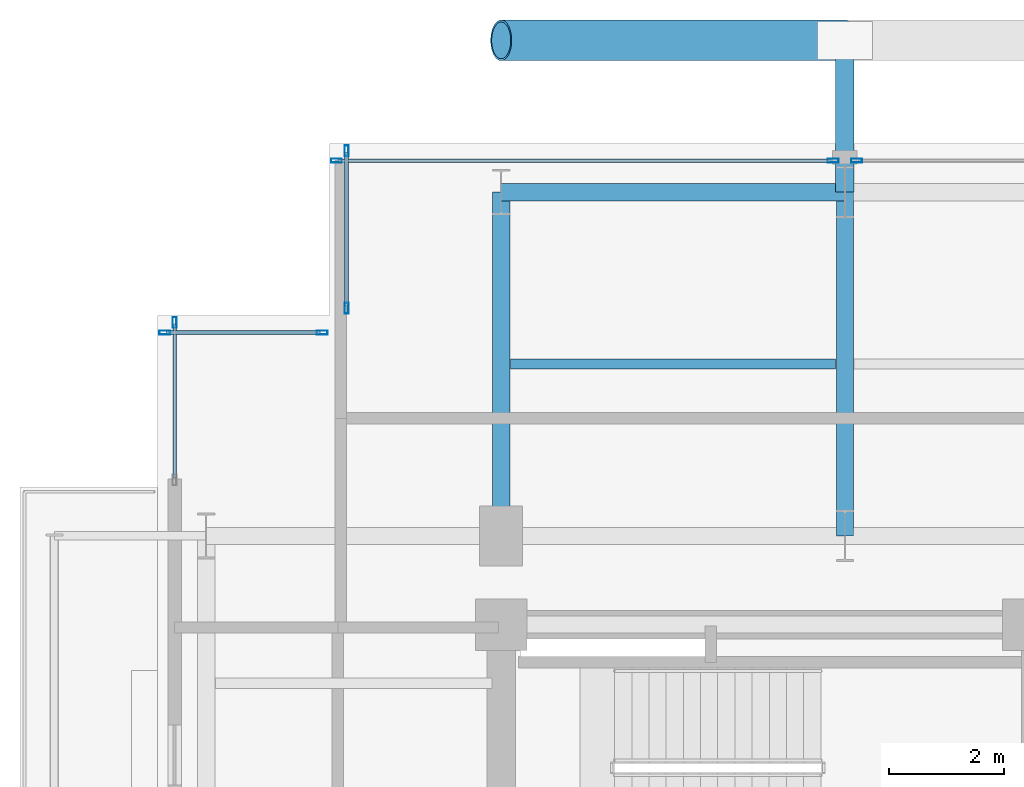
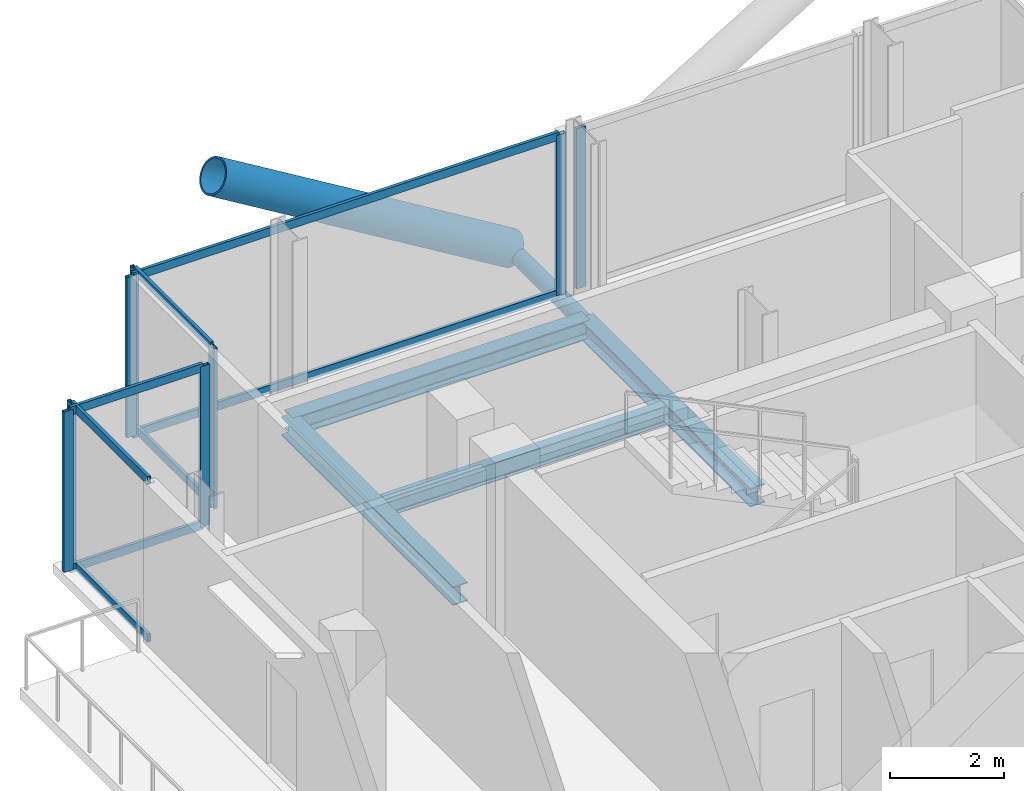
# One storey, part 14 of 25: 18 members, 4 beams, 5 elements without a shape of their own.
"""IFC4 building model written with IfcOpenShell, lengths in metres."""

from ifc_helpers import new_model, si_unit, direction, frame, origin, origin_2d, place, context, subcontext, project, spatial, hollow_rectangle, hollow_circle, i_section, extrude, material, layer, layer_set, material_profile, profile_set, type_object, element, aggregate, save


model = new_model("IFC4")

# Units and contexts
model_context = context("Model", 3, precision=1e-05, world=origin(), true_north=direction((0.0, 1.0)))
body_context = subcontext(model_context, "Body", "Model", "MODEL_VIEW")
ifc_project = project(units=[si_unit("LENGTHUNIT", "METRE"), si_unit("AREAUNIT", "SQUARE_METRE"), si_unit("VOLUMEUNIT", "CUBIC_METRE"), si_unit("PLANEANGLEUNIT", "RADIAN"), si_unit("MASSUNIT", "GRAM", prefix="KILO"), si_unit("THERMODYNAMICTEMPERATUREUNIT", "KELVIN"), si_unit("POWERUNIT", "WATT")], contexts=[model_context])

# Site, building, storey
site_placement = place(None, origin())
site = spatial("IfcSite", under=ifc_project, at=site_placement, CompositionType="ELEMENT")
building_placement = place(site_placement, origin())
building = spatial("IfcBuilding", under=site, at=building_placement, Name="Svarakhadi Broadcast Tower", CompositionType="ELEMENT")
storey_placement = place(building_placement, frame((0.0, 0.0, 231.14990234375)))
storey = spatial("IfcBuildingStorey", under=building, at=storey_placement, Name="L57", CompositionType="ELEMENT", Elevation=231.14990234375)

# Beam
ifc_material_1 = material(Name="Steel S355J2 (IS 2062 E350C)", Category="steel")
ifc_material_profile_1 = material_profile(ifc_material_1, i_section(OverallWidth=0.179931640625, OverallDepth=0.39990234375, WebThickness=0.008544921875, FlangeThickness=0.013427734375, FilletRadius=0.02099609375, at=origin_2d()), Name="NPB 400x180x66")
ifc_profile_set_1 = profile_set([ifc_material_profile_1], Name="Steel S355J2 (IS 2062 E350C)")
beam_type_1 = type_object("IfcBeamType", Name="Beam_NPB400", PredefinedType="BEAM", material=ifc_profile_set_1)
beam_placement = place(storey_placement, frame((6.159912109375, 32.14990234375, -0.409912109375), z_axis=(1.0, 0.0, 0.0), x_axis=(0.0, 1.0, 0.0)))
element("IfcBeam", 1, at=beam_placement, inside=storey, type_object=beam_type_1, Name="L57 Secondary Composite Beam SB008", PredefinedType="BEAM", context=body_context, shape_type="SweptSolid", body=[
    extrude(i_section(OverallWidth=0.179931640625, OverallDepth=0.39990234375, WebThickness=0.008544921875, FlangeThickness=0.013427734375, FilletRadius=0.02099609375, at=origin_2d()), origin(), (0.0, 0.0, 1.0), 5.68017578125),
])

# Curtain wall, member
ifc_material_2 = material(Name="Anodised Bronze Aluminium AA 6063-T6", Category="aluminium")
ifc_layer = layer(ifc_material_2, 0.18994140625)
ifc_layer_set = layer_set([ifc_layer], Name="Anodised Bronze Aluminium AA 6063-T6")
curtain_wall_type = type_object("IfcCurtainWallType", Name="CW_Sys_04", PredefinedType="NOTDEFINED", material=ifc_layer_set)
curtain_wall_1_placement = place(storey_placement, origin())
curtain_wall_1 = element("IfcCurtainWall", 2, at=curtain_wall_1_placement, inside=storey, type_object=curtain_wall_type, Name="L57 West Curtain Wall 03", PredefinedType="NOTDEFINED")
ifc_material_profile_2 = material_profile(ifc_material_2, hollow_rectangle(XDim=0.070068359375, YDim=0.18994140625, WallThickness=0.005615234375, at=origin_2d()), Name="ALU MULLION 190x70x6")
ifc_profile_set_2 = profile_set([ifc_material_profile_2], Name="Anodised Bronze Aluminium AA 6063-T6")
member_type_1 = type_object("IfcMemberType", Name="CW_Sys_04_Mul", PredefinedType="MULLION", material=ifc_profile_set_2)
member_1_placement = place(storey_placement, frame((0.300048828125, 32.875, 0.0), z_axis=(0.0, 0.0, 1.0), x_axis=(-1.0, 0.0, 0.0)))
member_1 = element("IfcMember", 3, at=member_1_placement, type_object=member_type_1, Name="CW-04 mullion 2", PredefinedType="MULLION", context=body_context, shape_type="SweptSolid", body=[
    extrude(hollow_rectangle(XDim=0.070068359375, YDim=0.18994140625, WallThickness=0.005615234375, at=origin_2d()), origin(), (0.0, 0.0, 1.0), 3.425048828125),
])

# Curtain wall, members
curtain_wall_2_placement = place(storey_placement, origin())
curtain_wall_2 = element("IfcCurtainWall", 4, at=curtain_wall_2_placement, inside=storey, type_object=curtain_wall_type, Name="L57 Unitised Facade Curtain Wall 04", PredefinedType="NOTDEFINED")
member_2_placement = place(storey_placement, frame((0.125, 32.699951171875, 0.0), z_axis=(0.0, 0.0, 1.0), x_axis=(0.0, 1.0, 0.0)))
member_2 = element("IfcMember", 5, at=member_2_placement, type_object=member_type_1, Name="CW-04 mullion 1", PredefinedType="MULLION", context=body_context, shape_type="SweptSolid", body=[
    extrude(hollow_rectangle(XDim=0.070068359375, YDim=0.18994140625, WallThickness=0.005615234375, at=origin_2d()), origin(), (0.0, 0.0, 1.0), 3.425048828125),
])
member_3_placement = place(storey_placement, frame((2.875, 32.699951171875, 0.0), z_axis=(0.0, 0.0, 1.0), x_axis=(0.0, 1.0, 0.0)))
member_3 = element("IfcMember", 6, at=member_3_placement, type_object=member_type_1, Name="CW-04 mullion 2", PredefinedType="MULLION", context=body_context, shape_type="SweptSolid", body=[
    extrude(hollow_rectangle(XDim=0.070068359375, YDim=0.18994140625, WallThickness=0.005615234375, at=origin_2d()), origin(), (0.0, 0.0, 1.0), 3.425048828125),
])

curtain_wall_3_placement = place(storey_placement, origin())
curtain_wall_3 = element("IfcCurtainWall", 7, at=curtain_wall_3_placement, inside=storey, type_object=curtain_wall_type, Name="L57 Unitised Facade Curtain Wall 05", PredefinedType="NOTDEFINED")
member_4_placement = place(storey_placement, frame((3.300048828125, 33.125, 0.0), z_axis=(0.0, 0.0, 1.0), x_axis=(-1.0, 0.0, 0.0)))
member_4 = element("IfcMember", 8, at=member_4_placement, type_object=member_type_1, Name="CW-04 mullion 1", PredefinedType="MULLION", context=body_context, shape_type="SweptSolid", body=[
    extrude(hollow_rectangle(XDim=0.070068359375, YDim=0.18994140625, WallThickness=0.005615234375, at=origin_2d()), origin(), (0.0, 0.0, 1.0), 3.425048828125),
])
member_5_placement = place(storey_placement, frame((3.300048828125, 35.875, 0.0), z_axis=(0.0, 0.0, 1.0), x_axis=(-1.0, 0.0, 0.0)))
member_5 = element("IfcMember", 9, at=member_5_placement, type_object=member_type_1, Name="CW-04 mullion 2", PredefinedType="MULLION", context=body_context, shape_type="SweptSolid", body=[
    extrude(hollow_rectangle(XDim=0.070068359375, YDim=0.18994140625, WallThickness=0.005615234375, at=origin_2d()), origin(), (0.0, 0.0, 1.0), 3.425048828125),
])

curtain_wall_4_placement = place(storey_placement, origin())
curtain_wall_4 = element("IfcCurtainWall", 10, at=curtain_wall_4_placement, inside=storey, type_object=curtain_wall_type, Name="L57 Unitised Facade Curtain Wall 06 Bay 1", PredefinedType="NOTDEFINED")
member_6_placement = place(storey_placement, frame((3.125, 35.699951171875, 0.0), z_axis=(0.0, 0.0, 1.0), x_axis=(0.0, 1.0, 0.0)))
member_6 = element("IfcMember", 11, at=member_6_placement, type_object=member_type_1, Name="CW-04 mullion 1", PredefinedType="MULLION", context=body_context, shape_type="SweptSolid", body=[
    extrude(hollow_rectangle(XDim=0.070068359375, YDim=0.18994140625, WallThickness=0.005615234375, at=origin_2d()), origin(), (0.0, 0.0, 1.0), 3.425048828125),
])
member_7_placement = place(storey_placement, frame((11.794921875, 35.699951171875, 0.0), z_axis=(0.0, 0.0, 1.0), x_axis=(0.0, 1.0, 0.0)))
member_7 = element("IfcMember", 12, at=member_7_placement, type_object=member_type_1, Name="CW-04 mullion 2", PredefinedType="MULLION", context=body_context, shape_type="SweptSolid", body=[
    extrude(hollow_rectangle(XDim=0.070068359375, YDim=0.18994140625, WallThickness=0.005615234375, at=origin_2d()), origin(), (0.0, 0.0, 1.0), 3.425048828125),
])

# Curtain wall, member
curtain_wall_5_placement = place(storey_placement, origin())
curtain_wall_5 = element("IfcCurtainWall", 13, at=curtain_wall_5_placement, inside=storey, type_object=curtain_wall_type, Name="L57 Unitised Facade Curtain Wall 06 Bay 2", PredefinedType="NOTDEFINED")
member_8_placement = place(storey_placement, frame((12.205078125, 35.699951171875, 0.0), z_axis=(0.0, 0.0, 1.0), x_axis=(0.0, 1.0, 0.0)))
member_8 = element("IfcMember", 14, at=member_8_placement, type_object=member_type_1, Name="CW-04 mullion 1", PredefinedType="MULLION", context=body_context, shape_type="SweptSolid", body=[
    extrude(hollow_rectangle(XDim=0.070068359375, YDim=0.18994140625, WallThickness=0.005615234375, at=origin_2d()), origin(), (0.0, 0.0, 1.0), 3.425048828125),
])
aggregate(curtain_wall_5, [member_8])

# Member
ifc_material_profile_3 = material_profile(ifc_material_2, hollow_rectangle(XDim=0.06494140625, YDim=0.175048828125, WallThickness=0.0048828125, at=origin_2d()), Name="ALU TRANSOM 175x65x5")
ifc_profile_set_3 = profile_set([ifc_material_profile_3], Name="Anodised Bronze Aluminium AA 6063-T6")
member_type_2 = type_object("IfcMemberType", Name="CW_Sys_04_Trn", PredefinedType="USERDEFINED", material=ifc_profile_set_3)
member_9_placement = place(storey_placement, frame((0.300048828125, 30.159912109375, 0.03271484375), z_axis=(0.0, 1.0, 0.0), x_axis=(-1.0, 0.0, 0.0)))
member_9 = element("IfcMember", 15, at=member_9_placement, type_object=member_type_2, Name="CW-04 transom 1.1", ObjectType="TRANSOM", PredefinedType="USERDEFINED", context=body_context, shape_type="SweptSolid", body=[
    extrude(hollow_rectangle(XDim=0.06494140625, YDim=0.175048828125, WallThickness=0.0048828125, at=origin_2d()), origin(), (0.0, 0.0, 1.0), 2.68017578125),
])

member_10_placement = place(storey_placement, frame((0.300048828125, 30.159912109375, 3.392578125), z_axis=(0.0, 1.0, 0.0), x_axis=(-1.0, 0.0, 0.0)))
member_10 = element("IfcMember", 16, at=member_10_placement, type_object=member_type_2, Name="CW-04 transom 1.2", ObjectType="TRANSOM", PredefinedType="USERDEFINED", context=body_context, shape_type="SweptSolid", body=[
    extrude(hollow_rectangle(XDim=0.06494140625, YDim=0.175048828125, WallThickness=0.0048828125, at=origin_2d()), origin(), (0.0, 0.0, 1.0), 2.68017578125),
])

aggregate(curtain_wall_1, [member_1, member_9, member_10])

member_11_placement = place(storey_placement, frame((0.159912109375, 32.699951171875, 0.03271484375), z_axis=(1.0, 0.0, 0.0), x_axis=(0.0, 1.0, 0.0)))
member_11 = element("IfcMember", 17, at=member_11_placement, type_object=member_type_2, Name="CW-04 transom 1.1", ObjectType="TRANSOM", PredefinedType="USERDEFINED", context=body_context, shape_type="SweptSolid", body=[
    extrude(hollow_rectangle(XDim=0.06494140625, YDim=0.175048828125, WallThickness=0.0048828125, at=origin_2d()), origin(), (0.0, 0.0, 1.0), 2.68017578125),
])

member_12_placement = place(storey_placement, frame((0.159912109375, 32.699951171875, 3.392578125), z_axis=(1.0, 0.0, 0.0), x_axis=(0.0, 1.0, 0.0)))
member_12 = element("IfcMember", 18, at=member_12_placement, type_object=member_type_2, Name="CW-04 transom 1.2", ObjectType="TRANSOM", PredefinedType="USERDEFINED", context=body_context, shape_type="SweptSolid", body=[
    extrude(hollow_rectangle(XDim=0.06494140625, YDim=0.175048828125, WallThickness=0.0048828125, at=origin_2d()), origin(), (0.0, 0.0, 1.0), 2.68017578125),
])

aggregate(curtain_wall_2, [member_2, member_3, member_11, member_12])

member_13_placement = place(storey_placement, frame((3.300048828125, 33.159912109375, 0.03271484375), z_axis=(0.0, 1.0, 0.0), x_axis=(-1.0, 0.0, 0.0)))
member_13 = element("IfcMember", 19, at=member_13_placement, type_object=member_type_2, Name="CW-04 transom 1.1", ObjectType="TRANSOM", PredefinedType="USERDEFINED", context=body_context, shape_type="SweptSolid", body=[
    extrude(hollow_rectangle(XDim=0.06494140625, YDim=0.175048828125, WallThickness=0.0048828125, at=origin_2d()), origin(), (0.0, 0.0, 1.0), 2.68017578125),
])

member_14_placement = place(storey_placement, frame((3.300048828125, 33.159912109375, 3.392578125), z_axis=(0.0, 1.0, 0.0), x_axis=(-1.0, 0.0, 0.0)))
member_14 = element("IfcMember", 20, at=member_14_placement, type_object=member_type_2, Name="CW-04 transom 1.2", ObjectType="TRANSOM", PredefinedType="USERDEFINED", context=body_context, shape_type="SweptSolid", body=[
    extrude(hollow_rectangle(XDim=0.06494140625, YDim=0.175048828125, WallThickness=0.0048828125, at=origin_2d()), origin(), (0.0, 0.0, 1.0), 2.68017578125),
])

aggregate(curtain_wall_3, [member_4, member_5, member_13, member_14])

member_15_placement = place(storey_placement, frame((3.159912109375, 35.699951171875, 0.03271484375), z_axis=(1.0, 0.0, 0.0), x_axis=(0.0, 1.0, 0.0)))
member_15 = element("IfcMember", 21, at=member_15_placement, type_object=member_type_2, Name="CW-04 transom 1.1", ObjectType="TRANSOM", PredefinedType="USERDEFINED", context=body_context, shape_type="SweptSolid", body=[
    extrude(hollow_rectangle(XDim=0.06494140625, YDim=0.175048828125, WallThickness=0.0048828125, at=origin_2d()), origin(), (0.0, 0.0, 1.0), 8.60009765625),
])

member_16_placement = place(storey_placement, frame((3.159912109375, 35.699951171875, 3.392578125), z_axis=(1.0, 0.0, 0.0), x_axis=(0.0, 1.0, 0.0)))
member_16 = element("IfcMember", 22, at=member_16_placement, type_object=member_type_2, Name="CW-04 transom 1.2", ObjectType="TRANSOM", PredefinedType="USERDEFINED", context=body_context, shape_type="SweptSolid", body=[
    extrude(hollow_rectangle(XDim=0.06494140625, YDim=0.175048828125, WallThickness=0.0048828125, at=origin_2d()), origin(), (0.0, 0.0, 1.0), 8.60009765625),
])

aggregate(curtain_wall_4, [member_6, member_7, member_15, member_16])

# Members
ifc_material_3 = material(Name="Steel S460ML (IS 2062 E450BR)", Category="steel")
ifc_material_profile_4 = material_profile(ifc_material_3, hollow_circle(Radius=0.35546875, WallThickness=0.034912109375, at=origin_2d()), Name="CHS 711x35")
ifc_profile_set_4 = profile_set([ifc_material_profile_4], Name="Steel S460ML (IS 2062 E450BR)")
member_type_3 = type_object("IfcMemberType", Name="Exo_Brace_CHS711", PredefinedType="BRACE", material=ifc_profile_set_4)
member_17_placement = place(storey_placement, frame((12.0, 37.800048828125, -0.371826171875), z_axis=(-0.855283363051, 0.0, 0.518160562845), x_axis=(0.0, -1.0, 0.0)))
element("IfcMember", 23, at=member_17_placement, inside=storey, type_object=member_type_3, Name="L57 Exposed Bronze Exoskeleton Diagonal N08", PredefinedType="BRACE", context=body_context, shape_type="SweptSolid", body=[
    extrude(hollow_circle(Radius=0.35546875, WallThickness=0.034912109375, at=origin_2d()), origin(), (0.0, 0.0, 1.0), 7.01513671875),
])
ifc_material_profile_5 = material_profile(ifc_material_3, hollow_circle(Radius=0.161865234375, WallThickness=0.01611328125, at=origin_2d()), Name="CHS 323.9x16")
ifc_profile_set_5 = profile_set([ifc_material_profile_5], Name="Steel S460ML (IS 2062 E450BR)")
member_type_4 = type_object("IfcMemberType", Name="Exo_Radial_Strut_Z2", PredefinedType="STRUT", material=ifc_profile_set_5)
member_18_placement = place(storey_placement, frame((12.0, 37.800048828125, -0.371826171875), z_axis=(0.0, -1.0, 0.0), x_axis=(1.0, 0.0, 0.0)))
element("IfcMember", 24, at=member_18_placement, inside=storey, type_object=member_type_4, Name="L57 Exoskeleton Radial Tie Strut N05", PredefinedType="STRUT", context=body_context, shape_type="SweptSolid", body=[
    extrude(hollow_circle(Radius=0.161865234375, WallThickness=0.01611328125, at=origin_2d()), origin(), (0.0, 0.0, 1.0), 2.650146484375),
])

# Beams
ifc_material_profile_6 = material_profile(ifc_material_1, i_section(OverallWidth=0.300048828125, OverallDepth=0.39990234375, WebThickness=0.013427734375, FlangeThickness=0.02392578125, FilletRadius=0.027099609375, at=origin_2d()), Name="WPB 400x300x155")
ifc_profile_set_6 = profile_set([ifc_material_profile_6], Name="Steel S355J2 (IS 2062 E350C)")
beam_type_2 = type_object("IfcBeamType", Name="Girder_WPB400", PredefinedType="USERDEFINED", material=ifc_profile_set_6)
for number, where, z_axis, x_axis, name in (
    (25, (6.0, 35.14990234375, -0.409912109375), (1.0, 0.0, 0.0), (0.0, 1.0, 0.0), "L57 Primary E-W Girder G031"),
    (26, (6.0, 29.14990234375, -0.409912109375), (0.0, 1.0, 0.0), (-1.0, 0.0, 0.0), "L57 Primary N-S Girder G041"),
    (27, (12.0, 29.14990234375, -0.409912109375), (0.0, 1.0, 0.0), (-1.0, 0.0, 0.0), "L57 Primary N-S Girder G045"),
):
    element("IfcBeam", number, at=place(storey_placement, frame(where, z_axis=z_axis, x_axis=x_axis)), inside=storey, type_object=beam_type_2, Name=name, ObjectType="GIRDER", PredefinedType="USERDEFINED", context=body_context, shape_type="SweptSolid", body=[
        extrude(i_section(OverallWidth=0.300048828125, OverallDepth=0.39990234375, WebThickness=0.013427734375, FlangeThickness=0.02392578125, FilletRadius=0.027099609375, at=origin_2d()), origin(), (0.0, 0.0, 1.0), 6.0),
    ])

save(model, "model.ifc")
